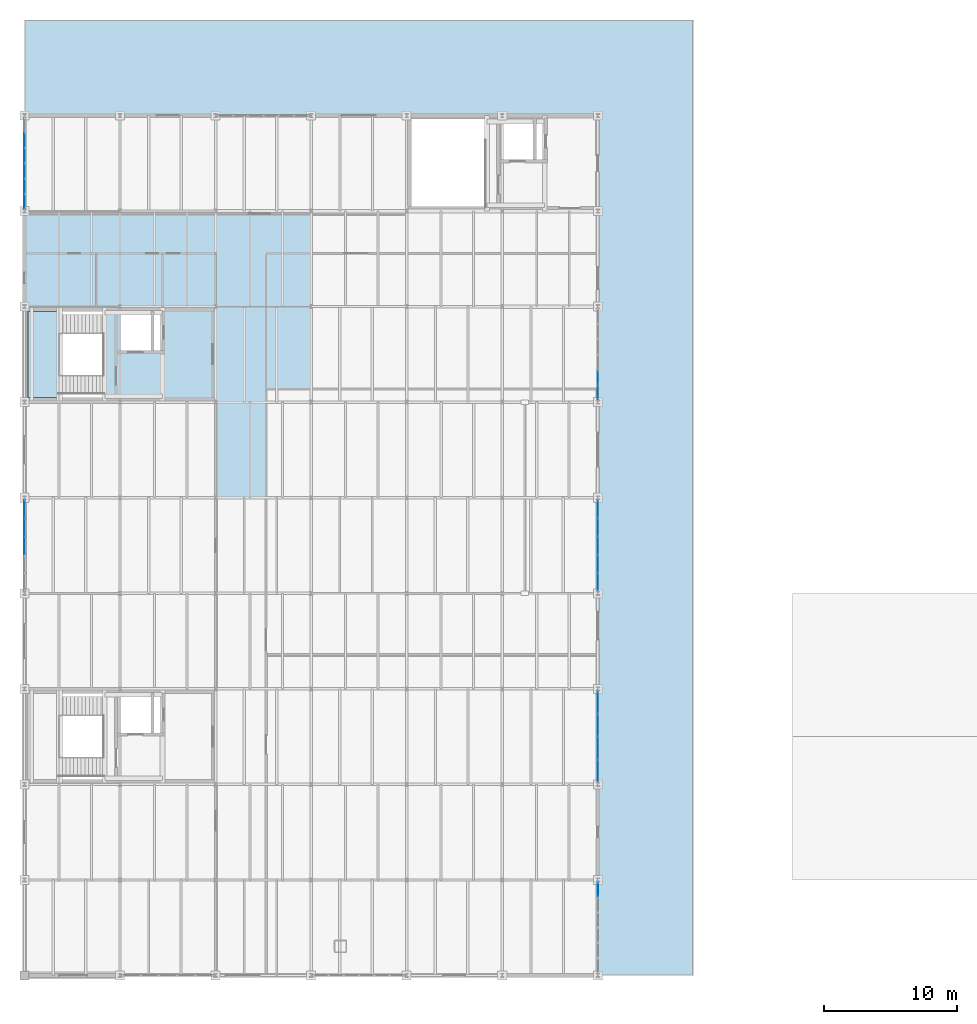
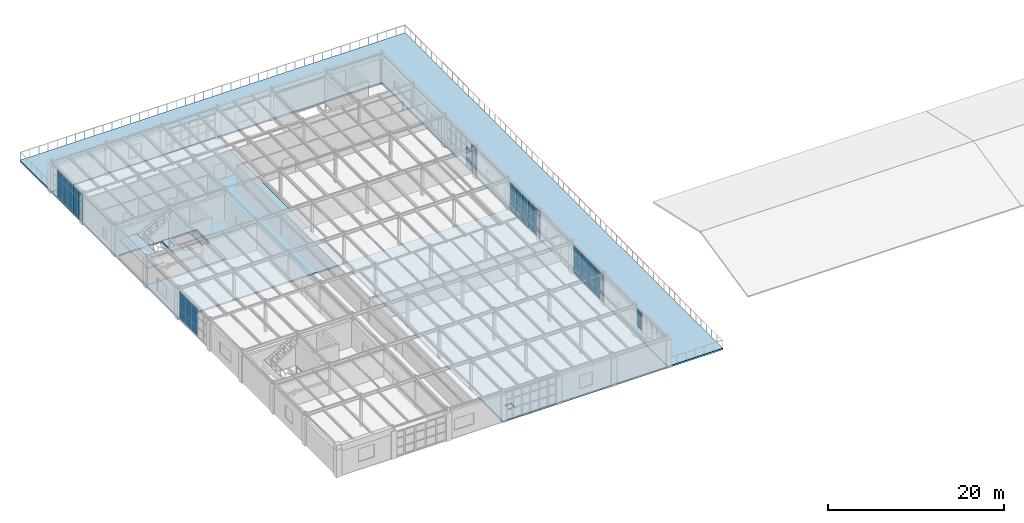
# One storey, part 29 of 36: 58 plates, 5 slabs, 7 elements without a shape of their own.
"""IFC4 building model written with IfcOpenShell, lengths in metres."""

import ifcopenshell
import ifcopenshell.guid

model = None  # the IFC model being written
_history = None  # IfcOwnerHistory: only IFC2X3 demands one
_inside = {}  # id of a spatial element -> (the spatial element, [elements in it])
_under = {}  # id of a project, library or spatial element -> (it, [spatial elements below it])
_declared = {}  # id of a project -> (the project, [libraries it declares])
_typed = {}  # id of a type object -> (the type object, [elements of that type])
_made_of = {}  # id of a material, layer set ... -> (it, [elements and type objects made of it])


def new_model(schema):
    """Start an empty IFC model of exactly this schema.

    Asked for "IFC4X3", IfcOpenShell would pick the latest addendum, in which some entities
    have other attributes; the version numbers below select the first issue.
    IFC2X3 requires an IfcOwnerHistory on every rooted entity: one is made here for all.
    """
    global model, _history
    if schema == "IFC4X3":
        model = ifcopenshell.file(schema_version=(4, 3, 0, 0))
    else:
        model = ifcopenshell.file(schema=schema)
    _inside.clear()
    _under.clear()
    _declared.clear()
    _typed.clear()
    _made_of.clear()
    _history = None
    if model.schema == "IFC2X3":
        org = make("IfcOrganization", Name="unknown")
        user = make(
            "IfcPersonAndOrganization",
            ThePerson=make("IfcPerson", FamilyName="unknown"),
            TheOrganization=org,
        )
        app = make(
            "IfcApplication",
            ApplicationDeveloper=org,
            Version="unknown",
            ApplicationFullName="unknown",
            ApplicationIdentifier="unknown",
        )
        _history = make(
            "IfcOwnerHistory",
            OwningUser=user,
            OwningApplication=app,
            ChangeAction="ADDED",
            CreationDate=0,
        )
    return model


def make(cls, **values):
    """One entity of the class cls with the attributes given. An attribute that is None is left unset."""
    return model.create_entity(
        cls, **{name: value for name, value in values.items() if value is not None}
    )


def rooted(cls, **values):
    """An entity with a GlobalId (a new one), such as an element, a storey or a relation."""
    return make(cls, GlobalId=ifcopenshell.guid.new(), OwnerHistory=_history, **values)


def si_unit(unit_type, name, prefix=None):
    """IfcSIUnit, for example si_unit("LENGTHUNIT", "METRE", prefix="MILLI")."""
    return make("IfcSIUnit", UnitType=unit_type, Prefix=prefix, Name=name)


def assignment(units):
    """IfcUnitAssignment: the units of a project."""
    return None if units is None else make("IfcUnitAssignment", Units=units)


def point(xyz):
    """IfcCartesianPoint."""
    return None if xyz is None else make("IfcCartesianPoint", Coordinates=xyz)


def direction(xyz):
    """IfcDirection."""
    return None if xyz is None else make("IfcDirection", DirectionRatios=xyz)


def frame(location, z_axis=None, x_axis=None):
    """IfcAxis2Placement3D, a coordinate frame: its origin and axes. An axis left out is left unset."""
    return make(
        "IfcAxis2Placement3D",
        Location=point(location),
        Axis=direction(z_axis),
        RefDirection=direction(x_axis),
    )


def frame_2d(location, x_axis=None):
    """IfcAxis2Placement2D, a coordinate frame in the plane: its origin and x axis."""
    return make(
        "IfcAxis2Placement2D", Location=point(location), RefDirection=direction(x_axis)
    )


def origin():
    """The frame at (0, 0, 0) with its axes left unset."""
    return frame((0.0, 0.0, 0.0))


def origin_2d():
    """The frame at (0, 0) in the plane with its x axis left unset."""
    return frame_2d((0.0, 0.0))


def place(relative_to, where):
    """IfcLocalPlacement: puts the frame where relative to a parent placement (None: the world)."""
    return make(
        "IfcLocalPlacement", PlacementRelTo=relative_to, RelativePlacement=where
    )


def context(
    kind, dimensions, precision=None, world=None, true_north=None, identifier=None
):
    """IfcGeometricRepresentationContext, for example the 3D "Model" context."""
    return make(
        "IfcGeometricRepresentationContext",
        ContextIdentifier=identifier,
        ContextType=kind,
        CoordinateSpaceDimension=dimensions,
        Precision=precision,
        WorldCoordinateSystem=world,
        TrueNorth=true_north,
    )


def subcontext(parent, identifier, kind, view, scale=None):
    """IfcGeometricRepresentationSubContext, for example "Body" below "Model"."""
    return make(
        "IfcGeometricRepresentationSubContext",
        ContextIdentifier=identifier,
        ContextType=kind,
        ParentContext=parent,
        TargetScale=scale,
        TargetView=view,
    )


def project(units=None, contexts=None):
    """IfcProject with its units and contexts."""
    return rooted(
        "IfcProject",
        Name="project",
        RepresentationContexts=contexts,
        UnitsInContext=assignment(units),
    )


def spatial(cls, under=None, at=None, **own):
    """A site, building, storey or space (cls), placed at a placement, below another one or the project."""
    s = rooted(cls, ObjectPlacement=at, **own)
    if under is not None:
        _under.setdefault(under.id(), (under, []))[1].append(s)
    return s


def polyline(points):
    """IfcPolyline through the points."""
    return make("IfcPolyline", Points=[point(p) for p in points])


def profile(cls, at=None, kind="AREA", **sizes):
    """A parametric profile (cls). Its sizes go by their IFC names, for example OverallWidth=200.0."""
    return make(cls, ProfileType=kind, Position=at, **sizes)


def rectangle(**sizes):
    """IfcRectangleProfileDef."""
    return profile("IfcRectangleProfileDef", **sizes)


def outline(outer, holes=None, kind="AREA"):
    """IfcArbitraryClosedProfileDef: a profile drawn as a closed curve; with holes, ...WithVoids."""
    if holes is None:
        return make("IfcArbitraryClosedProfileDef", ProfileType=kind, OuterCurve=outer)
    return make(
        "IfcArbitraryProfileDefWithVoids",
        ProfileType=kind,
        OuterCurve=outer,
        InnerCurves=holes,
    )


def extrude(swept, where, along, depth):
    """IfcExtrudedAreaSolid: the profile swept, set in the frame where, extruded along a direction by depth."""
    return make(
        "IfcExtrudedAreaSolid",
        SweptArea=swept,
        Position=where,
        ExtrudedDirection=direction(along),
        Depth=depth,
    )


def shape(context_of_items, identifier, shape_type, items):
    """IfcShapeRepresentation: the items that make up one representation, for example the "Body"."""
    return make(
        "IfcShapeRepresentation",
        ContextOfItems=context_of_items,
        RepresentationIdentifier=identifier,
        RepresentationType=shape_type,
        Items=items,
    )


def material(Name=None, Category=None):
    """IfcMaterial."""
    return make("IfcMaterial", Name=Name, Category=Category)


def layer(
    of_material, thickness, ventilated=None, Name=None, Category=None, Priority=None
):
    """IfcMaterialLayer: one layer of a wall or slab, of a material (None: an air gap)."""
    return make(
        "IfcMaterialLayer",
        Material=of_material,
        LayerThickness=thickness,
        IsVentilated=ventilated,
        Name=Name,
        Category=Category,
        Priority=Priority,
    )


def layer_set(layers, Name=None):
    """IfcMaterialLayerSet."""
    return make("IfcMaterialLayerSet", MaterialLayers=layers, LayerSetName=Name)


def made_of(thing, what):
    """Note that an element or type object is made of a material, layer set ...; save() writes the relation."""
    if what is not None:
        _made_of.setdefault(what.id(), (what, []))[1].append(thing)
    return thing


def type_object(cls, material=None, **own):
    """A type object (cls), such as IfcWallType, which elements share."""
    return made_of(rooted(cls, **own), material)


def element(
    cls,
    number,
    at=None,
    inside=None,
    cuts=None,
    type_object=None,
    material=None,
    context=None,
    identifier="Body",
    shape_type=None,
    held_by="IfcProductDefinitionShape",
    body=None,
    shapes=None,
    **own,
):
    """One element of the class cls, such as IfcWall. Its Tag is "e" and its number.

    at: its placement. inside: the storey or other place that contains it. cuts: it is an
    opening in that element (IfcRelVoidsElement). A single representation is given by context,
    identifier, shape_type and body (its items); several are given by shapes. held_by: the class
    of the entity that holds the representations. save() writes the other relations.
    """
    e = rooted(cls, Tag="e%d" % number, ObjectPlacement=at, **own)
    if body is not None:
        shapes = [shape(context, identifier, shape_type, body)]
    if shapes is not None:
        e.Representation = make(held_by, Representations=shapes)
    if inside is not None:
        _inside.setdefault(inside.id(), (inside, []))[1].append(e)
    if cuts is not None:
        rooted(
            "IfcRelVoidsElement", RelatingBuildingElement=cuts, RelatedOpeningElement=e
        )
    if type_object is not None:
        _typed.setdefault(type_object.id(), (type_object, []))[1].append(e)
    return made_of(e, material)


def aggregate(whole, parts):
    """IfcRelAggregates: a whole, such as a stair, and the parts it consists of."""
    return rooted("IfcRelAggregates", RelatingObject=whole, RelatedObjects=parts)


def save(model, path):
    """Write the relations noted so far, then the file.

    IfcRelAggregates (storeys below a building ...), IfcRelContainedInSpatialStructure (elements
    in a storey), IfcRelDefinesByType, IfcRelAssociatesMaterial and IfcRelDeclares: one each for
    every whole, place, type object, material and project.
    """
    for whole, parts in _under.values():
        aggregate(whole, parts)
    for where, things in _inside.values():
        rooted(
            "IfcRelContainedInSpatialStructure",
            RelatedElements=things,
            RelatingStructure=where,
        )
    for kind, things in _typed.values():
        rooted("IfcRelDefinesByType", RelatedObjects=things, RelatingType=kind)
    for what, things in _made_of.values():
        rooted("IfcRelAssociatesMaterial", RelatedObjects=things, RelatingMaterial=what)
    for by, libraries in _declared.values():
        rooted("IfcRelDeclares", RelatingContext=by, RelatedDefinitions=libraries)
    model.write(path)


model = new_model("IFC4")

# Units and contexts
model_context = context("Model", 3, precision=1e-05, world=origin(), true_north=direction((0.0, 1.0)))
body_context = subcontext(model_context, "Body", "Model", "MODEL_VIEW")
ifc_project = project(units=[si_unit("LENGTHUNIT", "METRE"), si_unit("AREAUNIT", "SQUARE_METRE"), si_unit("VOLUMEUNIT", "CUBIC_METRE"), si_unit("PLANEANGLEUNIT", "RADIAN"), si_unit("MASSUNIT", "GRAM", prefix="KILO")], contexts=[model_context])

# Site, building, storey
site_placement = place(None, origin())
site = spatial("IfcSite", under=ifc_project, at=site_placement, CompositionType="ELEMENT")
building_placement = place(site_placement, origin())
building = spatial("IfcBuilding", under=site, at=building_placement, Name="Kemerveld Promenade Tramway Depot", CompositionType="ELEMENT")
storey_placement = place(building_placement, frame((0.0, 0.0, 14.39990234375)))
storey = spatial("IfcBuildingStorey", under=building, at=storey_placement, Name="L03", CompositionType="ELEMENT", Elevation=14.39990234375)

# Curtain wall, plates
ifc_material_1 = material(Name="Bronze anodised aluminium and solar glass", Category="aluminium")
ifc_layer_1 = layer(ifc_material_1, 0.199951171875)
ifc_layer_set_1 = layer_set([ifc_layer_1], Name="CW-SYS-10")
curtain_wall_type_1 = type_object("IfcCurtainWallType", Name="CW-SYS-10", PredefinedType="USERDEFINED", material=ifc_layer_set_1)
curtain_wall_1_placement = place(storey_placement, origin())
curtain_wall_1 = element("IfcCurtainWall", 1, at=curtain_wall_1_placement, inside=storey, type_object=curtain_wall_type_1, Name="CW-L03-V5E-07", ObjectType="GLAZED_CURTAIN_WALL", PredefinedType="USERDEFINED")
ifc_material_2 = material(Name="Solar-control laminated double glazing", Category="glass")
ifc_layer_2 = layer(ifc_material_2, 0.028076171875)
ifc_layer_set_2 = layer_set([ifc_layer_2], Name="CW-PNL-02")
plate_type_1 = type_object("IfcPlateType", Name="CW-PNL-02", PredefinedType="CURTAIN_PANEL", material=ifc_layer_set_2)
plate_1_placement = place(storey_placement, frame((43.199951171875, 20.568603515625, 0.065185546875), z_axis=(0.0, 0.0, 1.0), x_axis=(0.0, -1.0, 0.0)))
plate_1 = element("IfcPlate", 2, at=plate_1_placement, type_object=plate_type_1, Name="CW10 panel 1.1", PredefinedType="CURTAIN_PANEL", context=body_context, shape_type="SweptSolid", body=[
    extrude(rectangle(XDim=1.6123046875, YDim=0.028076171875, at=origin_2d()), origin(), (0.0, 0.0, 1.0), 1.25048828125),
])
plate_2_placement = place(storey_placement, frame((43.199951171875, 20.568603515625, 1.380615234375), z_axis=(0.0, 0.0, 1.0), x_axis=(0.0, -1.0, 0.0)))
plate_2 = element("IfcPlate", 3, at=plate_2_placement, type_object=plate_type_1, Name="CW10 panel 1.2", PredefinedType="CURTAIN_PANEL", context=body_context, shape_type="SweptSolid", body=[
    extrude(rectangle(XDim=1.6123046875, YDim=0.028076171875, at=origin_2d()), origin(), (0.0, 0.0, 1.0), 1.35888671875),
])
plate_3_placement = place(storey_placement, frame((43.199951171875, 20.568603515625, 2.8046875), z_axis=(0.0, 0.0, 1.0), x_axis=(0.0, -1.0, 0.0)))
plate_3 = element("IfcPlate", 4, at=plate_3_placement, type_object=plate_type_1, Name="CW10 panel 1.3", PredefinedType="CURTAIN_PANEL", context=body_context, shape_type="SweptSolid", body=[
    extrude(rectangle(XDim=1.6123046875, YDim=0.028076171875, at=origin_2d()), origin(), (0.0, 0.0, 1.0), 0.98046875),
])
plate_4_placement = place(storey_placement, frame((43.199951171875, 18.862548828125, 0.065185546875), z_axis=(0.0, 0.0, 1.0), x_axis=(0.0, -1.0, 0.0)))
plate_4 = element("IfcPlate", 5, at=plate_4_placement, type_object=plate_type_1, Name="CW10 panel 2.1", PredefinedType="CURTAIN_PANEL", context=body_context, shape_type="SweptSolid", body=[
    extrude(rectangle(XDim=1.64990234375, YDim=0.028076171875, at=origin_2d()), origin(), (0.0, 0.0, 1.0), 1.25048828125),
])
plate_5_placement = place(storey_placement, frame((43.199951171875, 18.862548828125, 1.380615234375), z_axis=(0.0, 0.0, 1.0), x_axis=(0.0, -1.0, 0.0)))
plate_5 = element("IfcPlate", 6, at=plate_5_placement, type_object=plate_type_1, Name="CW10 panel 2.2", PredefinedType="CURTAIN_PANEL", context=body_context, shape_type="SweptSolid", body=[
    extrude(rectangle(XDim=1.64990234375, YDim=0.028076171875, at=origin_2d()), origin(), (0.0, 0.0, 1.0), 1.35888671875),
])
plate_6_placement = place(storey_placement, frame((43.199951171875, 18.862548828125, 2.8046875), z_axis=(0.0, 0.0, 1.0), x_axis=(0.0, -1.0, 0.0)))
plate_6 = element("IfcPlate", 7, at=plate_6_placement, type_object=plate_type_1, Name="CW10 panel 2.3", PredefinedType="CURTAIN_PANEL", context=body_context, shape_type="SweptSolid", body=[
    extrude(rectangle(XDim=1.64990234375, YDim=0.028076171875, at=origin_2d()), origin(), (0.0, 0.0, 1.0), 0.98046875),
])
plate_7_placement = place(storey_placement, frame((43.199951171875, 17.1376953125, 0.065185546875), z_axis=(0.0, 0.0, 1.0), x_axis=(0.0, -1.0, 0.0)))
plate_7 = element("IfcPlate", 8, at=plate_7_placement, type_object=plate_type_1, Name="CW10 panel 3.1", PredefinedType="CURTAIN_PANEL", context=body_context, shape_type="SweptSolid", body=[
    extrude(rectangle(XDim=1.64990234375, YDim=0.028076171875, at=origin_2d()), origin(), (0.0, 0.0, 1.0), 1.25048828125),
])
plate_8_placement = place(storey_placement, frame((43.199951171875, 17.1376953125, 1.380615234375), z_axis=(0.0, 0.0, 1.0), x_axis=(0.0, -1.0, 0.0)))
plate_8 = element("IfcPlate", 9, at=plate_8_placement, type_object=plate_type_1, Name="CW10 panel 3.2", PredefinedType="CURTAIN_PANEL", context=body_context, shape_type="SweptSolid", body=[
    extrude(rectangle(XDim=1.64990234375, YDim=0.028076171875, at=origin_2d()), origin(), (0.0, 0.0, 1.0), 1.35888671875),
])
plate_9_placement = place(storey_placement, frame((43.199951171875, 17.1376953125, 2.8046875), z_axis=(0.0, 0.0, 1.0), x_axis=(0.0, -1.0, 0.0)))
plate_9 = element("IfcPlate", 10, at=plate_9_placement, type_object=plate_type_1, Name="CW10 panel 3.3", PredefinedType="CURTAIN_PANEL", context=body_context, shape_type="SweptSolid", body=[
    extrude(rectangle(XDim=1.64990234375, YDim=0.028076171875, at=origin_2d()), origin(), (0.0, 0.0, 1.0), 0.98046875),
])
plate_10_placement = place(storey_placement, frame((43.199951171875, 15.431396484375, 0.065185546875), z_axis=(0.0, 0.0, 1.0), x_axis=(0.0, -1.0, 0.0)))
plate_10 = element("IfcPlate", 11, at=plate_10_placement, type_object=plate_type_1, Name="CW10 panel 4.1", PredefinedType="CURTAIN_PANEL", context=body_context, shape_type="SweptSolid", body=[
    extrude(rectangle(XDim=1.6123046875, YDim=0.028076171875, at=origin_2d()), origin(), (0.0, 0.0, 1.0), 1.25048828125),
])
plate_11_placement = place(storey_placement, frame((43.199951171875, 15.431396484375, 1.380615234375), z_axis=(0.0, 0.0, 1.0), x_axis=(0.0, -1.0, 0.0)))
plate_11 = element("IfcPlate", 12, at=plate_11_placement, type_object=plate_type_1, Name="CW10 panel 4.2", PredefinedType="CURTAIN_PANEL", context=body_context, shape_type="SweptSolid", body=[
    extrude(rectangle(XDim=1.6123046875, YDim=0.028076171875, at=origin_2d()), origin(), (0.0, 0.0, 1.0), 1.35888671875),
])
plate_12_placement = place(storey_placement, frame((43.199951171875, 15.431396484375, 2.8046875), z_axis=(0.0, 0.0, 1.0), x_axis=(0.0, -1.0, 0.0)))
plate_12 = element("IfcPlate", 13, at=plate_12_placement, type_object=plate_type_1, Name="CW10 panel 4.3", PredefinedType="CURTAIN_PANEL", context=body_context, shape_type="SweptSolid", body=[
    extrude(rectangle(XDim=1.6123046875, YDim=0.028076171875, at=origin_2d()), origin(), (0.0, 0.0, 1.0), 0.98046875),
])
aggregate(curtain_wall_1, [plate_1, plate_2, plate_3, plate_4, plate_5, plate_6, plate_7, plate_8, plate_9, plate_10, plate_11, plate_12])

ifc_layer_3 = layer(ifc_material_1, 0.199951171875)
ifc_layer_set_3 = layer_set([ifc_layer_3], Name="CW-SYS-12")
curtain_wall_type_2 = type_object("IfcCurtainWallType", Name="CW-SYS-12", PredefinedType="USERDEFINED", material=ifc_layer_set_3)
curtain_wall_2_placement = place(storey_placement, origin())
curtain_wall_2 = element("IfcCurtainWall", 14, at=curtain_wall_2_placement, inside=storey, type_object=curtain_wall_type_2, Name="CW-L03-V5W-09", ObjectType="GLAZED_CURTAIN_WALL", PredefinedType="USERDEFINED")
ifc_layer_4 = layer(ifc_material_2, 0.031982421875)
ifc_layer_set_4 = layer_set([ifc_layer_4], Name="CW-PNL-04")
plate_type_2 = type_object("IfcPlateType", Name="CW-PNL-04", PredefinedType="CURTAIN_PANEL", material=ifc_layer_set_4)
plate_13_placement = place(storey_placement, frame((0.0, 58.34375, 0.065185546875), z_axis=(0.0, 0.0, 1.0), x_axis=(0.0, 1.0, 0.0)))
plate_13 = element("IfcPlate", 15, at=plate_13_placement, type_object=plate_type_2, Name="CW12 panel 1.1", PredefinedType="CURTAIN_PANEL", context=body_context, shape_type="SweptSolid", body=[
    extrude(rectangle(XDim=1.037353515625, YDim=0.031982421875, at=origin_2d()), origin(), (0.0, 0.0, 1.0), 1.25048828125),
])
plate_14_placement = place(storey_placement, frame((0.0, 58.34375, 1.380615234375), z_axis=(0.0, 0.0, 1.0), x_axis=(0.0, 1.0, 0.0)))
plate_14 = element("IfcPlate", 16, at=plate_14_placement, type_object=plate_type_2, Name="CW12 panel 1.2", PredefinedType="CURTAIN_PANEL", context=body_context, shape_type="SweptSolid", body=[
    extrude(rectangle(XDim=1.037353515625, YDim=0.031982421875, at=origin_2d()), origin(), (0.0, 0.0, 1.0), 1.35888671875),
])
plate_15_placement = place(storey_placement, frame((0.0, 58.34375, 2.8046875), z_axis=(0.0, 0.0, 1.0), x_axis=(0.0, 1.0, 0.0)))
plate_15 = element("IfcPlate", 17, at=plate_15_placement, type_object=plate_type_2, Name="CW12 panel 1.3", PredefinedType="CURTAIN_PANEL", context=body_context, shape_type="SweptSolid", body=[
    extrude(rectangle(XDim=1.037353515625, YDim=0.031982421875, at=origin_2d()), origin(), (0.0, 0.0, 1.0), 0.98046875),
])
plate_16_placement = place(storey_placement, frame((0.0, 59.47509765625, 0.065185546875), z_axis=(0.0, 0.0, 1.0), x_axis=(0.0, 1.0, 0.0)))
plate_16 = element("IfcPlate", 18, at=plate_16_placement, type_object=plate_type_2, Name="CW12 panel 2.1", PredefinedType="CURTAIN_PANEL", context=body_context, shape_type="SweptSolid", body=[
    extrude(rectangle(XDim=1.074951171875, YDim=0.031982421875, at=origin_2d()), origin(), (0.0, 0.0, 1.0), 1.25048828125),
])
plate_17_placement = place(storey_placement, frame((0.0, 59.47509765625, 1.380615234375), z_axis=(0.0, 0.0, 1.0), x_axis=(0.0, 1.0, 0.0)))
plate_17 = element("IfcPlate", 19, at=plate_17_placement, type_object=plate_type_2, Name="CW12 panel 2.2", PredefinedType="CURTAIN_PANEL", context=body_context, shape_type="SweptSolid", body=[
    extrude(rectangle(XDim=1.074951171875, YDim=0.031982421875, at=origin_2d()), origin(), (0.0, 0.0, 1.0), 1.35888671875),
])
plate_18_placement = place(storey_placement, frame((0.0, 59.47509765625, 2.8046875), z_axis=(0.0, 0.0, 1.0), x_axis=(0.0, 1.0, 0.0)))
plate_18 = element("IfcPlate", 20, at=plate_18_placement, type_object=plate_type_2, Name="CW12 panel 2.3", PredefinedType="CURTAIN_PANEL", context=body_context, shape_type="SweptSolid", body=[
    extrude(rectangle(XDim=1.074951171875, YDim=0.031982421875, at=origin_2d()), origin(), (0.0, 0.0, 1.0), 0.98046875),
])
plate_19_placement = place(storey_placement, frame((0.0, 60.625, 0.065185546875), z_axis=(0.0, 0.0, 1.0), x_axis=(0.0, 1.0, 0.0)))
plate_19 = element("IfcPlate", 21, at=plate_19_placement, type_object=plate_type_2, Name="CW12 panel 3.1", PredefinedType="CURTAIN_PANEL", context=body_context, shape_type="SweptSolid", body=[
    extrude(rectangle(XDim=1.074951171875, YDim=0.031982421875, at=origin_2d()), origin(), (0.0, 0.0, 1.0), 1.25048828125),
])
plate_20_placement = place(storey_placement, frame((0.0, 60.625, 1.380615234375), z_axis=(0.0, 0.0, 1.0), x_axis=(0.0, 1.0, 0.0)))
plate_20 = element("IfcPlate", 22, at=plate_20_placement, type_object=plate_type_2, Name="CW12 panel 3.2", PredefinedType="CURTAIN_PANEL", context=body_context, shape_type="SweptSolid", body=[
    extrude(rectangle(XDim=1.074951171875, YDim=0.031982421875, at=origin_2d()), origin(), (0.0, 0.0, 1.0), 1.35888671875),
])
plate_21_placement = place(storey_placement, frame((0.0, 60.625, 2.8046875), z_axis=(0.0, 0.0, 1.0), x_axis=(0.0, 1.0, 0.0)))
plate_21 = element("IfcPlate", 23, at=plate_21_placement, type_object=plate_type_2, Name="CW12 panel 3.3", PredefinedType="CURTAIN_PANEL", context=body_context, shape_type="SweptSolid", body=[
    extrude(rectangle(XDim=1.074951171875, YDim=0.031982421875, at=origin_2d()), origin(), (0.0, 0.0, 1.0), 0.98046875),
])
plate_22_placement = place(storey_placement, frame((0.0, 61.77490234375, 0.065185546875), z_axis=(0.0, 0.0, 1.0), x_axis=(0.0, 1.0, 0.0)))
plate_22 = element("IfcPlate", 24, at=plate_22_placement, type_object=plate_type_2, Name="CW12 panel 4.1", PredefinedType="CURTAIN_PANEL", context=body_context, shape_type="SweptSolid", body=[
    extrude(rectangle(XDim=1.074951171875, YDim=0.031982421875, at=origin_2d()), origin(), (0.0, 0.0, 1.0), 1.25048828125),
])
plate_23_placement = place(storey_placement, frame((0.0, 61.77490234375, 1.380615234375), z_axis=(0.0, 0.0, 1.0), x_axis=(0.0, 1.0, 0.0)))
plate_23 = element("IfcPlate", 25, at=plate_23_placement, type_object=plate_type_2, Name="CW12 panel 4.2", PredefinedType="CURTAIN_PANEL", context=body_context, shape_type="SweptSolid", body=[
    extrude(rectangle(XDim=1.074951171875, YDim=0.031982421875, at=origin_2d()), origin(), (0.0, 0.0, 1.0), 1.35888671875),
])
plate_24_placement = place(storey_placement, frame((0.0, 61.77490234375, 2.8046875), z_axis=(0.0, 0.0, 1.0), x_axis=(0.0, 1.0, 0.0)))
plate_24 = element("IfcPlate", 26, at=plate_24_placement, type_object=plate_type_2, Name="CW12 panel 4.3", PredefinedType="CURTAIN_PANEL", context=body_context, shape_type="SweptSolid", body=[
    extrude(rectangle(XDim=1.074951171875, YDim=0.031982421875, at=origin_2d()), origin(), (0.0, 0.0, 1.0), 0.98046875),
])
plate_25_placement = place(storey_placement, frame((0.0, 62.925048828125, 0.065185546875), z_axis=(0.0, 0.0, 1.0), x_axis=(0.0, 1.0, 0.0)))
plate_25 = element("IfcPlate", 27, at=plate_25_placement, type_object=plate_type_2, Name="CW12 panel 5.1", PredefinedType="CURTAIN_PANEL", context=body_context, shape_type="SweptSolid", body=[
    extrude(rectangle(XDim=1.074951171875, YDim=0.031982421875, at=origin_2d()), origin(), (0.0, 0.0, 1.0), 1.25048828125),
])
plate_26_placement = place(storey_placement, frame((0.0, 62.925048828125, 1.380615234375), z_axis=(0.0, 0.0, 1.0), x_axis=(0.0, 1.0, 0.0)))
plate_26 = element("IfcPlate", 28, at=plate_26_placement, type_object=plate_type_2, Name="CW12 panel 5.2", PredefinedType="CURTAIN_PANEL", context=body_context, shape_type="SweptSolid", body=[
    extrude(rectangle(XDim=1.074951171875, YDim=0.031982421875, at=origin_2d()), origin(), (0.0, 0.0, 1.0), 1.35888671875),
])
plate_27_placement = place(storey_placement, frame((0.0, 62.925048828125, 2.8046875), z_axis=(0.0, 0.0, 1.0), x_axis=(0.0, 1.0, 0.0)))
plate_27 = element("IfcPlate", 29, at=plate_27_placement, type_object=plate_type_2, Name="CW12 panel 5.3", PredefinedType="CURTAIN_PANEL", context=body_context, shape_type="SweptSolid", body=[
    extrude(rectangle(XDim=1.074951171875, YDim=0.031982421875, at=origin_2d()), origin(), (0.0, 0.0, 1.0), 0.98046875),
])
aggregate(curtain_wall_2, [plate_13, plate_14, plate_15, plate_16, plate_17, plate_18, plate_19, plate_20, plate_21, plate_22, plate_23, plate_24, plate_25, plate_26, plate_27])

curtain_wall_3_placement = place(storey_placement, origin())
curtain_wall_3 = element("IfcCurtainWall", 30, at=curtain_wall_3_placement, inside=storey, type_object=curtain_wall_type_2, Name="CW-L03-V5E-09", ObjectType="GLAZED_CURTAIN_WALL", PredefinedType="USERDEFINED")
plate_28_placement = place(storey_placement, frame((43.199951171875, 6.4560546875, 1.380615234375), z_axis=(0.0, 0.0, 1.0), x_axis=(0.0, -1.0, 0.0)))
plate_28 = element("IfcPlate", 31, at=plate_28_placement, type_object=plate_type_2, Name="CW12 panel 1.2", PredefinedType="CURTAIN_PANEL", context=body_context, shape_type="SweptSolid", body=[
    extrude(rectangle(XDim=1.037353515625, YDim=0.031982421875, at=origin_2d()), origin(), (0.0, 0.0, 1.0), 1.35888671875),
])
plate_29_placement = place(storey_placement, frame((43.199951171875, 6.4560546875, 2.8046875), z_axis=(0.0, 0.0, 1.0), x_axis=(0.0, -1.0, 0.0)))
plate_29 = element("IfcPlate", 32, at=plate_29_placement, type_object=plate_type_2, Name="CW12 panel 1.3", PredefinedType="CURTAIN_PANEL", context=body_context, shape_type="SweptSolid", body=[
    extrude(rectangle(XDim=1.037353515625, YDim=0.031982421875, at=origin_2d()), origin(), (0.0, 0.0, 1.0), 0.98046875),
])
aggregate(curtain_wall_3, [plate_28, plate_29])

ifc_layer_5 = layer(ifc_material_1, 0.199951171875)
ifc_layer_set_5 = layer_set([ifc_layer_5], Name="CW-SYS-06")
curtain_wall_type_3 = type_object("IfcCurtainWallType", Name="CW-SYS-06", PredefinedType="USERDEFINED", material=ifc_layer_set_5)
curtain_wall_4_placement = place(storey_placement, origin())
curtain_wall_4 = element("IfcCurtainWall", 33, at=curtain_wall_4_placement, inside=storey, type_object=curtain_wall_type_3, Name="CW-L03-V5E-03", ObjectType="GLAZED_CURTAIN_WALL", PredefinedType="USERDEFINED")
ifc_layer_6 = layer(ifc_material_2, 0.02587890625)
ifc_layer_set_6 = layer_set([ifc_layer_6], Name="CW-PNL-06")
plate_type_3 = type_object("IfcPlateType", Name="CW-PNL-06", PredefinedType="CURTAIN_PANEL", material=ifc_layer_set_6)
plate_30_placement = place(storey_placement, frame((43.199951171875, 45.074951171875, 0.065185546875), z_axis=(0.0, 0.0, 1.0), x_axis=(0.0, -1.0, 0.0)))
plate_30 = element("IfcPlate", 34, at=plate_30_placement, type_object=plate_type_3, Name="CW06 panel 5.1", PredefinedType="CURTAIN_PANEL", context=body_context, shape_type="SweptSolid", body=[
    extrude(rectangle(XDim=1.074951171875, YDim=0.02587890625, at=origin_2d()), origin(), (0.0, 0.0, 1.0), 1.25048828125),
])
plate_31_placement = place(storey_placement, frame((43.199951171875, 45.074951171875, 1.380615234375), z_axis=(0.0, 0.0, 1.0), x_axis=(0.0, -1.0, 0.0)))
plate_31 = element("IfcPlate", 35, at=plate_31_placement, type_object=plate_type_3, Name="CW06 panel 5.2", PredefinedType="CURTAIN_PANEL", context=body_context, shape_type="SweptSolid", body=[
    extrude(rectangle(XDim=1.074951171875, YDim=0.02587890625, at=origin_2d()), origin(), (0.0, 0.0, 1.0), 1.35888671875),
])
plate_32_placement = place(storey_placement, frame((43.199951171875, 43.94384765625, 0.065185546875), z_axis=(0.0, 0.0, 1.0), x_axis=(0.0, -1.0, 0.0)))
plate_32 = element("IfcPlate", 36, at=plate_32_placement, type_object=plate_type_3, Name="CW06 panel 6.1", PredefinedType="CURTAIN_PANEL", context=body_context, shape_type="SweptSolid", body=[
    extrude(rectangle(XDim=1.037353515625, YDim=0.02587890625, at=origin_2d()), origin(), (0.0, 0.0, 1.0), 1.25048828125),
])
plate_33_placement = place(storey_placement, frame((43.199951171875, 43.94384765625, 1.380615234375), z_axis=(0.0, 0.0, 1.0), x_axis=(0.0, -1.0, 0.0)))
plate_33 = element("IfcPlate", 37, at=plate_33_placement, type_object=plate_type_3, Name="CW06 panel 6.2", PredefinedType="CURTAIN_PANEL", context=body_context, shape_type="SweptSolid", body=[
    extrude(rectangle(XDim=1.037353515625, YDim=0.02587890625, at=origin_2d()), origin(), (0.0, 0.0, 1.0), 1.35888671875),
])
plate_34_placement = place(storey_placement, frame((43.199951171875, 43.94384765625, 2.8046875), z_axis=(0.0, 0.0, 1.0), x_axis=(0.0, -1.0, 0.0)))
plate_34 = element("IfcPlate", 38, at=plate_34_placement, type_object=plate_type_3, Name="CW06 panel 6.3", PredefinedType="CURTAIN_PANEL", context=body_context, shape_type="SweptSolid", body=[
    extrude(rectangle(XDim=1.037353515625, YDim=0.02587890625, at=origin_2d()), origin(), (0.0, 0.0, 1.0), 0.98046875),
])
aggregate(curtain_wall_4, [plate_30, plate_31, plate_32, plate_33, plate_34])

ifc_layer_7 = layer(ifc_material_1, 0.199951171875)
ifc_layer_set_7 = layer_set([ifc_layer_7], Name="CW-SYS-08")
curtain_wall_type_4 = type_object("IfcCurtainWallType", Name="CW-SYS-08", PredefinedType="USERDEFINED", material=ifc_layer_set_7)
curtain_wall_5_placement = place(storey_placement, origin())
curtain_wall_5 = element("IfcCurtainWall", 39, at=curtain_wall_5_placement, inside=storey, type_object=curtain_wall_type_4, Name="CW-L03-V5W-05", ObjectType="GLAZED_CURTAIN_WALL", PredefinedType="USERDEFINED")
ifc_layer_8 = layer(ifc_material_2, 0.028076171875)
ifc_layer_set_8 = layer_set([ifc_layer_8], Name="CW-PNL-08")
plate_type_4 = type_object("IfcPlateType", Name="CW-PNL-08", PredefinedType="CURTAIN_PANEL", material=ifc_layer_set_8)
plate_35_placement = place(storey_placement, frame((0.0, 32.400146484375, 0.065185546875), z_axis=(0.0, 0.0, 1.0), x_axis=(0.0, 1.0, 0.0)))
plate_35 = element("IfcPlate", 40, at=plate_35_placement, type_object=plate_type_4, Name="CW08 panel 3.1", PredefinedType="CURTAIN_PANEL", context=body_context, shape_type="SweptSolid", body=[
    extrude(rectangle(XDim=1.304931640625, YDim=0.028076171875, at=origin_2d()), origin(), (0.0, 0.0, 1.0), 1.25048828125),
])
plate_36_placement = place(storey_placement, frame((0.0, 32.400146484375, 1.380615234375), z_axis=(0.0, 0.0, 1.0), x_axis=(0.0, 1.0, 0.0)))
plate_36 = element("IfcPlate", 41, at=plate_36_placement, type_object=plate_type_4, Name="CW08 panel 3.2", PredefinedType="CURTAIN_PANEL", context=body_context, shape_type="SweptSolid", body=[
    extrude(rectangle(XDim=1.304931640625, YDim=0.028076171875, at=origin_2d()), origin(), (0.0, 0.0, 1.0), 1.35888671875),
])
plate_37_placement = place(storey_placement, frame((0.0, 32.400146484375, 2.8046875), z_axis=(0.0, 0.0, 1.0), x_axis=(0.0, 1.0, 0.0)))
plate_37 = element("IfcPlate", 42, at=plate_37_placement, type_object=plate_type_4, Name="CW08 panel 3.3", PredefinedType="CURTAIN_PANEL", context=body_context, shape_type="SweptSolid", body=[
    extrude(rectangle(XDim=1.304931640625, YDim=0.028076171875, at=origin_2d()), origin(), (0.0, 0.0, 1.0), 0.98046875),
])
plate_38_placement = place(storey_placement, frame((0.0, 33.780029296875, 0.065185546875), z_axis=(0.0, 0.0, 1.0), x_axis=(0.0, 1.0, 0.0)))
plate_38 = element("IfcPlate", 43, at=plate_38_placement, type_object=plate_type_4, Name="CW08 panel 4.1", PredefinedType="CURTAIN_PANEL", context=body_context, shape_type="SweptSolid", body=[
    extrude(rectangle(XDim=1.304931640625, YDim=0.028076171875, at=origin_2d()), origin(), (0.0, 0.0, 1.0), 1.25048828125),
])
plate_39_placement = place(storey_placement, frame((0.0, 33.780029296875, 1.380615234375), z_axis=(0.0, 0.0, 1.0), x_axis=(0.0, 1.0, 0.0)))
plate_39 = element("IfcPlate", 44, at=plate_39_placement, type_object=plate_type_4, Name="CW08 panel 4.2", PredefinedType="CURTAIN_PANEL", context=body_context, shape_type="SweptSolid", body=[
    extrude(rectangle(XDim=1.304931640625, YDim=0.028076171875, at=origin_2d()), origin(), (0.0, 0.0, 1.0), 1.35888671875),
])
plate_40_placement = place(storey_placement, frame((0.0, 33.780029296875, 2.8046875), z_axis=(0.0, 0.0, 1.0), x_axis=(0.0, 1.0, 0.0)))
plate_40 = element("IfcPlate", 45, at=plate_40_placement, type_object=plate_type_4, Name="CW08 panel 4.3", PredefinedType="CURTAIN_PANEL", context=body_context, shape_type="SweptSolid", body=[
    extrude(rectangle(XDim=1.304931640625, YDim=0.028076171875, at=origin_2d()), origin(), (0.0, 0.0, 1.0), 0.98046875),
])
plate_41_placement = place(storey_placement, frame((0.0, 35.14111328125, 0.065185546875), z_axis=(0.0, 0.0, 1.0), x_axis=(0.0, 1.0, 0.0)))
plate_41 = element("IfcPlate", 46, at=plate_41_placement, type_object=plate_type_4, Name="CW08 panel 5.1", PredefinedType="CURTAIN_PANEL", context=body_context, shape_type="SweptSolid", body=[
    extrude(rectangle(XDim=1.267333984375, YDim=0.028076171875, at=origin_2d()), origin(), (0.0, 0.0, 1.0), 1.25048828125),
])
plate_42_placement = place(storey_placement, frame((0.0, 35.14111328125, 1.380615234375), z_axis=(0.0, 0.0, 1.0), x_axis=(0.0, 1.0, 0.0)))
plate_42 = element("IfcPlate", 47, at=plate_42_placement, type_object=plate_type_4, Name="CW08 panel 5.2", PredefinedType="CURTAIN_PANEL", context=body_context, shape_type="SweptSolid", body=[
    extrude(rectangle(XDim=1.267333984375, YDim=0.028076171875, at=origin_2d()), origin(), (0.0, 0.0, 1.0), 1.35888671875),
])
plate_43_placement = place(storey_placement, frame((0.0, 35.14111328125, 2.8046875), z_axis=(0.0, 0.0, 1.0), x_axis=(0.0, 1.0, 0.0)))
plate_43 = element("IfcPlate", 48, at=plate_43_placement, type_object=plate_type_4, Name="CW08 panel 5.3", PredefinedType="CURTAIN_PANEL", context=body_context, shape_type="SweptSolid", body=[
    extrude(rectangle(XDim=1.267333984375, YDim=0.028076171875, at=origin_2d()), origin(), (0.0, 0.0, 1.0), 0.98046875),
])
aggregate(curtain_wall_5, [plate_35, plate_36, plate_37, plate_38, plate_39, plate_40, plate_41, plate_42, plate_43])

curtain_wall_6_placement = place(storey_placement, origin())
curtain_wall_6 = element("IfcCurtainWall", 49, at=curtain_wall_6_placement, inside=storey, type_object=curtain_wall_type_4, Name="CW-L03-V5E-05", ObjectType="GLAZED_CURTAIN_WALL", PredefinedType="USERDEFINED")
plate_44_placement = place(storey_placement, frame((43.199951171875, 35.14111328125, 0.065185546875), z_axis=(0.0, 0.0, 1.0), x_axis=(0.0, -1.0, 0.0)))
plate_44 = element("IfcPlate", 50, at=plate_44_placement, type_object=plate_type_4, Name="CW08 panel 1.1", PredefinedType="CURTAIN_PANEL", context=body_context, shape_type="SweptSolid", body=[
    extrude(rectangle(XDim=1.267333984375, YDim=0.028076171875, at=origin_2d()), origin(), (0.0, 0.0, 1.0), 1.25048828125),
])
plate_45_placement = place(storey_placement, frame((43.199951171875, 35.14111328125, 1.380615234375), z_axis=(0.0, 0.0, 1.0), x_axis=(0.0, -1.0, 0.0)))
plate_45 = element("IfcPlate", 51, at=plate_45_placement, type_object=plate_type_4, Name="CW08 panel 1.2", PredefinedType="CURTAIN_PANEL", context=body_context, shape_type="SweptSolid", body=[
    extrude(rectangle(XDim=1.267333984375, YDim=0.028076171875, at=origin_2d()), origin(), (0.0, 0.0, 1.0), 1.35888671875),
])
plate_46_placement = place(storey_placement, frame((43.199951171875, 35.14111328125, 2.8046875), z_axis=(0.0, 0.0, 1.0), x_axis=(0.0, -1.0, 0.0)))
plate_46 = element("IfcPlate", 52, at=plate_46_placement, type_object=plate_type_4, Name="CW08 panel 1.3", PredefinedType="CURTAIN_PANEL", context=body_context, shape_type="SweptSolid", body=[
    extrude(rectangle(XDim=1.267333984375, YDim=0.028076171875, at=origin_2d()), origin(), (0.0, 0.0, 1.0), 0.98046875),
])
plate_47_placement = place(storey_placement, frame((43.199951171875, 33.780029296875, 0.065185546875), z_axis=(0.0, 0.0, 1.0), x_axis=(0.0, -1.0, 0.0)))
plate_47 = element("IfcPlate", 53, at=plate_47_placement, type_object=plate_type_4, Name="CW08 panel 2.1", PredefinedType="CURTAIN_PANEL", context=body_context, shape_type="SweptSolid", body=[
    extrude(rectangle(XDim=1.304931640625, YDim=0.028076171875, at=origin_2d()), origin(), (0.0, 0.0, 1.0), 1.25048828125),
])
plate_48_placement = place(storey_placement, frame((43.199951171875, 33.780029296875, 1.380615234375), z_axis=(0.0, 0.0, 1.0), x_axis=(0.0, -1.0, 0.0)))
plate_48 = element("IfcPlate", 54, at=plate_48_placement, type_object=plate_type_4, Name="CW08 panel 2.2", PredefinedType="CURTAIN_PANEL", context=body_context, shape_type="SweptSolid", body=[
    extrude(rectangle(XDim=1.304931640625, YDim=0.028076171875, at=origin_2d()), origin(), (0.0, 0.0, 1.0), 1.35888671875),
])
plate_49_placement = place(storey_placement, frame((43.199951171875, 33.780029296875, 2.8046875), z_axis=(0.0, 0.0, 1.0), x_axis=(0.0, -1.0, 0.0)))
plate_49 = element("IfcPlate", 55, at=plate_49_placement, type_object=plate_type_4, Name="CW08 panel 2.3", PredefinedType="CURTAIN_PANEL", context=body_context, shape_type="SweptSolid", body=[
    extrude(rectangle(XDim=1.304931640625, YDim=0.028076171875, at=origin_2d()), origin(), (0.0, 0.0, 1.0), 0.98046875),
])
plate_50_placement = place(storey_placement, frame((43.199951171875, 32.400146484375, 0.065185546875), z_axis=(0.0, 0.0, 1.0), x_axis=(0.0, -1.0, 0.0)))
plate_50 = element("IfcPlate", 56, at=plate_50_placement, type_object=plate_type_4, Name="CW08 panel 3.1", PredefinedType="CURTAIN_PANEL", context=body_context, shape_type="SweptSolid", body=[
    extrude(rectangle(XDim=1.304931640625, YDim=0.028076171875, at=origin_2d()), origin(), (0.0, 0.0, 1.0), 1.25048828125),
])
plate_51_placement = place(storey_placement, frame((43.199951171875, 32.400146484375, 1.380615234375), z_axis=(0.0, 0.0, 1.0), x_axis=(0.0, -1.0, 0.0)))
plate_51 = element("IfcPlate", 57, at=plate_51_placement, type_object=plate_type_4, Name="CW08 panel 3.2", PredefinedType="CURTAIN_PANEL", context=body_context, shape_type="SweptSolid", body=[
    extrude(rectangle(XDim=1.304931640625, YDim=0.028076171875, at=origin_2d()), origin(), (0.0, 0.0, 1.0), 1.35888671875),
])
plate_52_placement = place(storey_placement, frame((43.199951171875, 32.400146484375, 2.8046875), z_axis=(0.0, 0.0, 1.0), x_axis=(0.0, -1.0, 0.0)))
plate_52 = element("IfcPlate", 58, at=plate_52_placement, type_object=plate_type_4, Name="CW08 panel 3.3", PredefinedType="CURTAIN_PANEL", context=body_context, shape_type="SweptSolid", body=[
    extrude(rectangle(XDim=1.304931640625, YDim=0.028076171875, at=origin_2d()), origin(), (0.0, 0.0, 1.0), 0.98046875),
])
plate_53_placement = place(storey_placement, frame((43.199951171875, 31.02001953125, 0.065185546875), z_axis=(0.0, 0.0, 1.0), x_axis=(0.0, -1.0, 0.0)))
plate_53 = element("IfcPlate", 59, at=plate_53_placement, type_object=plate_type_4, Name="CW08 panel 4.1", PredefinedType="CURTAIN_PANEL", context=body_context, shape_type="SweptSolid", body=[
    extrude(rectangle(XDim=1.304931640625, YDim=0.028076171875, at=origin_2d()), origin(), (0.0, 0.0, 1.0), 1.25048828125),
])
plate_54_placement = place(storey_placement, frame((43.199951171875, 31.02001953125, 1.380615234375), z_axis=(0.0, 0.0, 1.0), x_axis=(0.0, -1.0, 0.0)))
plate_54 = element("IfcPlate", 60, at=plate_54_placement, type_object=plate_type_4, Name="CW08 panel 4.2", PredefinedType="CURTAIN_PANEL", context=body_context, shape_type="SweptSolid", body=[
    extrude(rectangle(XDim=1.304931640625, YDim=0.028076171875, at=origin_2d()), origin(), (0.0, 0.0, 1.0), 1.35888671875),
])
plate_55_placement = place(storey_placement, frame((43.199951171875, 31.02001953125, 2.8046875), z_axis=(0.0, 0.0, 1.0), x_axis=(0.0, -1.0, 0.0)))
plate_55 = element("IfcPlate", 61, at=plate_55_placement, type_object=plate_type_4, Name="CW08 panel 4.3", PredefinedType="CURTAIN_PANEL", context=body_context, shape_type="SweptSolid", body=[
    extrude(rectangle(XDim=1.304931640625, YDim=0.028076171875, at=origin_2d()), origin(), (0.0, 0.0, 1.0), 0.98046875),
])
plate_56_placement = place(storey_placement, frame((43.199951171875, 29.658935546875, 0.065185546875), z_axis=(0.0, 0.0, 1.0), x_axis=(0.0, -1.0, 0.0)))
plate_56 = element("IfcPlate", 62, at=plate_56_placement, type_object=plate_type_4, Name="CW08 panel 5.1", PredefinedType="CURTAIN_PANEL", context=body_context, shape_type="SweptSolid", body=[
    extrude(rectangle(XDim=1.267333984375, YDim=0.028076171875, at=origin_2d()), origin(), (0.0, 0.0, 1.0), 1.25048828125),
])
plate_57_placement = place(storey_placement, frame((43.199951171875, 29.658935546875, 1.380615234375), z_axis=(0.0, 0.0, 1.0), x_axis=(0.0, -1.0, 0.0)))
plate_57 = element("IfcPlate", 63, at=plate_57_placement, type_object=plate_type_4, Name="CW08 panel 5.2", PredefinedType="CURTAIN_PANEL", context=body_context, shape_type="SweptSolid", body=[
    extrude(rectangle(XDim=1.267333984375, YDim=0.028076171875, at=origin_2d()), origin(), (0.0, 0.0, 1.0), 1.35888671875),
])
plate_58_placement = place(storey_placement, frame((43.199951171875, 29.658935546875, 2.8046875), z_axis=(0.0, 0.0, 1.0), x_axis=(0.0, -1.0, 0.0)))
plate_58 = element("IfcPlate", 64, at=plate_58_placement, type_object=plate_type_4, Name="CW08 panel 5.3", PredefinedType="CURTAIN_PANEL", context=body_context, shape_type="SweptSolid", body=[
    extrude(rectangle(XDim=1.267333984375, YDim=0.028076171875, at=origin_2d()), origin(), (0.0, 0.0, 1.0), 0.98046875),
])
aggregate(curtain_wall_6, [plate_44, plate_45, plate_46, plate_47, plate_48, plate_49, plate_50, plate_51, plate_52, plate_53, plate_54, plate_55, plate_56, plate_57, plate_58])

# Slabs
ifc_material_3 = material(Name="Concrete C40/50", Category="concrete")
ifc_layer_9 = layer(ifc_material_3, 0.219970703125)
ifc_layer_set_9 = layer_set([ifc_layer_9], Name="SL-CORE-220")
slab_type_1 = type_object("IfcSlabType", Name="SL-CORE-220", PredefinedType="FLOOR", material=ifc_layer_set_9)
slab_1_placement = place(storey_placement, frame((0.0, 0.0, -0.219970703125)))
element("IfcSlab", 65, at=slab_1_placement, inside=storey, type_object=slab_type_1, Name="SLB-CORE-C2-L03", PredefinedType="FLOOR", context=body_context, shape_type="SweptSolid", body=[
    extrude(outline(polyline([(5.919921875, 43.449951171875), (10.550048828125, 43.449951171875), (10.550048828125, 50.14990234375), (5.919921875, 50.14990234375), (5.919921875, 43.449951171875)]), holes=[polyline([(7.199951171875, 47.080078125), (9.550048828125, 47.080078125), (9.550048828125, 50.080078125), (7.199951171875, 50.080078125), (7.199951171875, 47.080078125)]), polyline([(9.75, 47.080078125), (10.3798828125, 47.080078125), (10.3798828125, 50.080078125), (9.75, 50.080078125), (9.75, 47.080078125)])]), origin(), (0.0, 0.0, 1.0), 0.219970703125),
])
ifc_material_4 = material(Name="Concrete C35/45", Category="concrete")
ifc_layer_10 = layer(ifc_material_4, 0.199951171875)
ifc_layer_set_10 = layer_set([ifc_layer_10], Name="SL-FL04")
slab_type_2 = type_object("IfcSlabType", Name="SL-FL04", PredefinedType="FLOOR", material=ifc_layer_set_10)
slab_2_placement = place(storey_placement, frame((0.0, 0.0, -0.199951171875)))
element("IfcSlab", 66, at=slab_2_placement, inside=storey, type_object=slab_type_2, Name="SLB-L03-V5B", PredefinedType="FLOOR", context=body_context, shape_type="SweptSolid", body=[
    extrude(outline(polyline([(21.60009765625, 0.0), (43.199951171875, 0.0), (43.199951171875, 36.0), (21.60009765625, 36.0), (21.60009765625, 0.0)]), holes=[polyline([(23.39990234375, 1.800048828125), (24.199951171875, 1.800048828125), (24.199951171875, 2.60009765625), (23.39990234375, 2.60009765625), (23.39990234375, 1.800048828125)])]), origin(), (0.0, 0.0, 1.0), 0.199951171875),
])
slab_3_placement = place(storey_placement, frame((0.0, 0.0, -0.199951171875)))
element("IfcSlab", 67, at=slab_3_placement, inside=storey, type_object=slab_type_2, Name="SLB-L03-V5C", PredefinedType="FLOOR", context=body_context, shape_type="SweptSolid", body=[
    extrude(outline(polyline([(0.0, 36.0), (21.60009765625, 36.0), (21.60009765625, 64.800048828125), (0.0, 64.800048828125), (0.0, 36.0)]), holes=[polyline([(0.25, 43.449951171875), (10.550048828125, 43.449951171875), (10.550048828125, 50.14990234375), (0.25, 50.14990234375), (0.25, 43.449951171875)])]), origin(), (0.0, 0.0, 1.0), 0.199951171875),
])

# Stair, slab
stair_type = type_object("IfcStairType", Name="STR-HT-TYP", PredefinedType="HALF_TURN_STAIR", material=ifc_material_3)
stair_placement = place(storey_placement, origin())
stair = element("IfcStair", 68, at=stair_placement, inside=storey, type_object=stair_type, Name="ST-02-L03", PredefinedType="HALF_TURN_STAIR")
ifc_layer_11 = layer(ifc_material_3, 0.179931640625)
ifc_layer_set_11 = layer_set([ifc_layer_11], Name="SL-LND-180")
slab_type_3 = type_object("IfcSlabType", Name="SL-LND-180", PredefinedType="LANDING", material=ifc_layer_set_11)
slab_4_placement = place(storey_placement, frame((0.0, 0.0, 2.070068359375)))
slab_4 = element("IfcSlab", 69, at=slab_4_placement, type_object=slab_type_3, Name="ST-02-L03 landing 1", PredefinedType="LANDING", context=body_context, shape_type="SweptSolid", body=[
    extrude(outline(polyline([(0.280029296875, 43.56005859375), (2.580078125, 43.56005859375), (2.580078125, 50.0400390625), (0.280029296875, 50.0400390625), (0.280029296875, 43.56005859375)])), origin(), (0.0, 0.0, 1.0), 0.179931640625),
])
aggregate(stair, [slab_4])

# Slab
ifc_layer_12 = layer(ifc_material_4, 0.215087890625)
ifc_layer_set_12 = layer_set([ifc_layer_12], Name="SL-TR02")
slab_type_4 = type_object("IfcSlabType", Name="SL-TR02", PredefinedType="FLOOR", material=ifc_layer_set_12)
slab_5_placement = place(storey_placement, frame((0.0, 0.0, -0.21484375)))
element("IfcSlab", 70, at=slab_5_placement, inside=storey, type_object=slab_type_4, Name="SLB-TER-L03-EAST", PredefinedType="FLOOR", context=body_context, shape_type="SweptSolid", body=[
    extrude(outline(polyline([(43.199951171875, 0.0), (50.39990234375, 0.0), (50.39990234375, 72.0), (0.0, 72.0), (0.0, 64.800048828125), (43.199951171875, 64.800048828125), (43.199951171875, 0.0)])), origin(), (0.0, 0.0, 1.0), 0.21484375),
])

save(model, "model.ifc")
